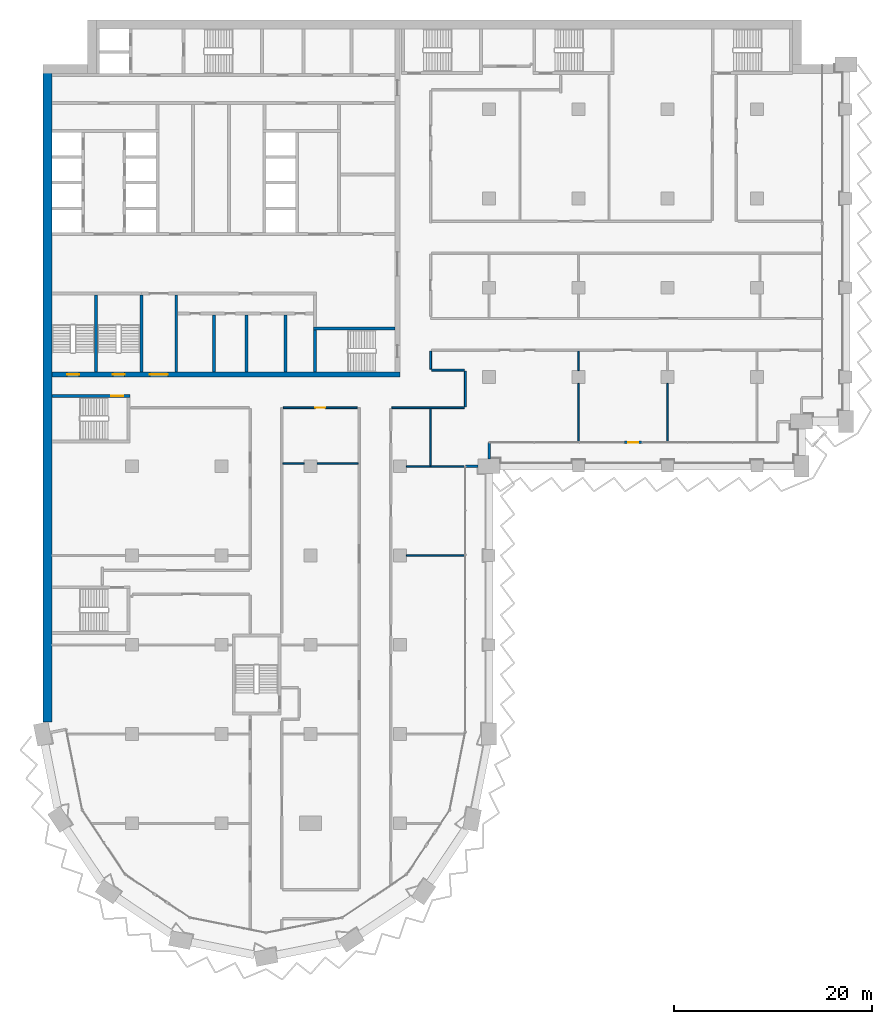
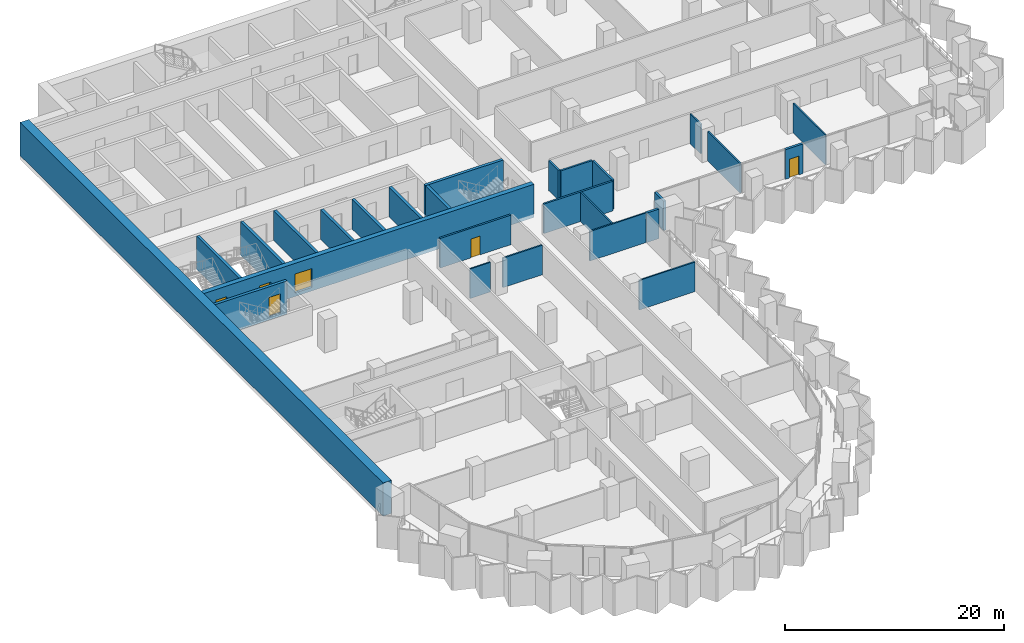
# One storey, part 11 of 23: 27 walls, 6 doors, 6 openings.
"""IFC4 building model written with IfcOpenShell, lengths in metres."""

from ifc_helpers import new_model, si_unit, direction, frame, frame_2d, origin, place, context, subcontext, project, spatial, rectangle, extrude, material, layer, layer_set, type_object, element, fill, save


model = new_model("IFC4")

# Units and contexts
model_context = context("Model", 3, precision=1e-05, world=origin(), true_north=direction((0.0, 1.0)))
body_context = subcontext(model_context, "Body", "Model", "MODEL_VIEW")
ifc_project = project(units=[si_unit("LENGTHUNIT", "METRE"), si_unit("AREAUNIT", "SQUARE_METRE"), si_unit("VOLUMEUNIT", "CUBIC_METRE"), si_unit("PLANEANGLEUNIT", "RADIAN"), si_unit("MASSUNIT", "GRAM", prefix="KILO")], contexts=[model_context])

# Site, building, storey
site_placement = place(None, origin())
site = spatial("IfcSite", under=ifc_project, at=site_placement, CompositionType="ELEMENT")
building_placement = place(site_placement, origin())
building = spatial("IfcBuilding", under=site, at=building_placement, Name="Hunhe Ridgeline Campus", CompositionType="ELEMENT")
storey_placement = place(building_placement, frame((0.0, 0.0, 103.300048828125)))
storey = spatial("IfcBuildingStorey", under=building, at=storey_placement, Name="L25", CompositionType="ELEMENT", Elevation=103.300048828125)

# Walls
ifc_material_1 = material(Name="Masonry concrete blockwork", Category="masonry")
ifc_layer_1 = layer(ifc_material_1, 0.300048828125)
ifc_layer_set_1 = layer_set([ifc_layer_1], Name="Core room partition 300 concrete block")
wall_type_1 = type_object("IfcWallType", Name="Core room partition 300 concrete block", PredefinedType="PARTITIONING", material=ifc_layer_set_1)
wall_1_placement = place(storey_placement, frame((13.449951171875, 63.5, 0.0), z_axis=(0.0, 0.0, 1.0), x_axis=(0.0, 1.0, 0.0)))
element("IfcWall", 1, at=wall_1_placement, inside=storey, type_object=wall_type_1, Name="L25 core partition 42", PredefinedType="PARTITIONING", context=body_context, shape_type="SweptSolid", body=[
    extrude(rectangle(XDim=7.75, YDim=0.300048828125, at=frame_2d((3.875, 0.0))), origin(), (0.0, 0.0, 1.0), 3.300048828125),
])
for number, where, z_axis, x_axis, name in (
    (2, (17.25, 63.5, 0.0), (0.0, 0.0, 1.0), (0.0, 1.0, 0.0), "L25 core partition 45"),
    (3, (20.550048828125, 63.5, 0.0), (0.0, 0.0, 1.0), (0.0, 1.0, 0.0), "L25 core partition 48"),
    (4, (24.449951171875, 63.5, 0.0), (0.0, 0.0, 1.0), (0.0, 1.0, 0.0), "L25 core partition 53"),
):
    element("IfcWall", number, at=place(storey_placement, frame(where, z_axis=z_axis, x_axis=x_axis)), inside=storey, type_object=wall_type_1, Name=name, PredefinedType="PARTITIONING", context=body_context, shape_type="SweptSolid", body=[
        extrude(rectangle(XDim=5.75, YDim=0.300048828125, at=frame_2d((2.875, 0.0))), origin(), (0.0, 0.0, 1.0), 3.300048828125),
    ])

# Wall, openings, doors
ifc_material_2 = material(Name="Concrete C80", Category="concrete")
ifc_layer_2 = layer(ifc_material_2, 0.5)
ifc_layer_set_2 = layer_set([ifc_layer_2], Name="Core wall 500 reinforced concrete C80")
wall_type_2 = type_object("IfcWallType", Name="Core wall 500 reinforced concrete C80", PredefinedType="SOLIDWALL", material=ifc_layer_set_2)
wall_2_placement = place(storey_placement, frame((0.89990234375, 63.25, -0.400146484375), z_axis=(0.0, 0.0, 1.0), x_axis=(1.0, 0.0, 0.0)))
wall_2 = element("IfcWall", 5, at=wall_2_placement, inside=storey, type_object=wall_type_2, Name="L25 core wall 7", PredefinedType="SOLIDWALL", context=body_context, shape_type="SweptSolid", body=[
    extrude(rectangle(XDim=35.10009765625, YDim=0.5, at=frame_2d((17.550048828125, 0.0))), origin(), (0.0, 0.0, 1.0), 3.7001953125),
])
opening_1_placement = place(wall_2_placement, frame((9.89990234375, 0.0, 0.39990234375)))
opening_1 = element("IfcOpeningElement", 6, at=opening_1_placement, cuts=wall_2, Name="Opening CD6", PredefinedType="OPENING", context=body_context, shape_type="SweptSolid", body=[
    extrude(rectangle(XDim=1.800048828125, YDim=2.10009765625, at=frame_2d((0.89990234375, 1.050048828125))), frame((0.0, 0.25, 0.0), z_axis=(0.0, -1.0, 0.0), x_axis=(1.0, 0.0, 0.0)), (0.0, 0.0, 1.0), 0.5),
])
opening_2_placement = place(wall_2_placement, frame((1.550048828125, 0.0, 0.39990234375)))
opening_2 = element("IfcOpeningElement", 7, at=opening_2_placement, cuts=wall_2, Name="Opening CD13", PredefinedType="OPENING", context=body_context, shape_type="SweptSolid", body=[
    extrude(rectangle(XDim=1.199951171875, YDim=2.10009765625, at=frame_2d((0.60009765625, 1.050048828125))), frame((0.0, 0.25, 0.0), z_axis=(0.0, -1.0, 0.0), x_axis=(1.0, 0.0, 0.0)), (0.0, 0.0, 1.0), 0.5),
])
opening_3_placement = place(wall_2_placement, frame((6.14990234375, 0.0, 0.39990234375)))
opening_3 = element("IfcOpeningElement", 8, at=opening_3_placement, cuts=wall_2, Name="Opening CD14", PredefinedType="OPENING", context=body_context, shape_type="SweptSolid", body=[
    extrude(rectangle(XDim=1.199951171875, YDim=2.10009765625, at=frame_2d((0.60009765625, 1.050048828125))), frame((0.0, 0.25, 0.0), z_axis=(0.0, -1.0, 0.0), x_axis=(1.0, 0.0, 0.0)), (0.0, 0.0, 1.0), 0.5),
])
ifc_material_3 = material(Name="Anodised aluminium and glass", Category="aluminium")
door_type_1 = type_object("IfcDoorType", Name="Glazed double door 1800x2100", OperationType="DOUBLE_DOOR_SINGLE_SWING", PredefinedType="DOOR", material=ifc_material_3)
door_1_placement = place(opening_1_placement, frame((1.800048828125, 0.0, 0.0), z_axis=(0.0, 0.0, 1.0), x_axis=(-1.0, 0.0, 0.0)))
door_1 = element("IfcDoor", 9, at=door_1_placement, inside=storey, type_object=door_type_1, Name="L25 door VEST-FLOOR", OperationType="DOUBLE_DOOR_SINGLE_SWING", OverallHeight=2.10009765625, OverallWidth=1.800048828125, PredefinedType="DOOR", context=body_context, shape_type="SweptSolid", body=[
    extrude(rectangle(XDim=1.800048828125, YDim=2.10009765625, at=frame_2d((0.89990234375, 1.050048828125))), frame((0.0, 0.02490234375, 0.0), z_axis=(0.0, -1.0, 0.0), x_axis=(1.0, 0.0, 0.0)), (0.0, 0.0, 1.0), 0.050048828125),
])
fill(opening_1, door_1)
ifc_material_4 = material(Name="Hollow metal fire door leaf")
door_type_2 = type_object("IfcDoorType", Name="Stair door 1200x2100 FD60", OperationType="SINGLE_SWING_LEFT", PredefinedType="DOOR", material=ifc_material_4)
door_2_placement = place(opening_2_placement, frame((1.199951171875, 0.0, 0.0), z_axis=(0.0, 0.0, 1.0), x_axis=(-1.0, 0.0, 0.0)))
door_2 = element("IfcDoor", 10, at=door_2_placement, inside=storey, type_object=door_type_2, Name="L25 door S3", OperationType="SINGLE_SWING_RIGHT", OverallHeight=2.10009765625, OverallWidth=1.199951171875, PredefinedType="DOOR", context=body_context, shape_type="SweptSolid", body=[
    extrude(rectangle(XDim=1.199951171875, YDim=2.10009765625, at=frame_2d((0.60009765625, 1.050048828125))), frame((0.0, 0.02490234375, 0.0), z_axis=(0.0, -1.0, 0.0), x_axis=(1.0, 0.0, 0.0)), (0.0, 0.0, 1.0), 0.050048828125),
])
fill(opening_2, door_2)
door_3_placement = place(opening_3_placement, frame((1.199951171875, 0.0, 0.0), z_axis=(0.0, 0.0, 1.0), x_axis=(-1.0, 0.0, 0.0)))
door_3 = element("IfcDoor", 11, at=door_3_placement, inside=storey, type_object=door_type_2, Name="L25 door S4", OperationType="SINGLE_SWING_LEFT", OverallHeight=2.10009765625, OverallWidth=1.199951171875, PredefinedType="DOOR", context=body_context, shape_type="SweptSolid", body=[
    extrude(rectangle(XDim=1.199951171875, YDim=2.10009765625, at=frame_2d((0.60009765625, 1.050048828125))), frame((0.0, 0.02490234375, 0.0), z_axis=(0.0, -1.0, 0.0), x_axis=(1.0, 0.0, 0.0)), (0.0, 0.0, 1.0), 0.050048828125),
])
fill(opening_3, door_3)

# Walls
ifc_material_5 = material(Name="Concrete C30", Category="concrete")
ifc_layer_3 = layer(ifc_material_5, 0.25)
ifc_layer_set_3 = layer_set([ifc_layer_3], Name="Corner return wall 250 Concrete C30")
wall_type_3 = type_object("IfcWallType", Name="Corner return wall 250 Concrete C30", PredefinedType="SOLIDWALL", material=ifc_layer_set_3)
wall_3_placement = place(storey_placement, frame((42.599365234375, 54.000732421875, 0.0), z_axis=(0.0, 0.0, 1.0), x_axis=(0.99999998238, 0.000187722918, 0.0)))
element("IfcWall", 12, at=wall_3_placement, inside=storey, type_object=wall_type_3, Name="Corner return wall 2", PredefinedType="SOLIDWALL", context=body_context, shape_type="SweptSolid", body=[
    extrude(rectangle(XDim=1.300537109375, YDim=0.25, at=frame_2d((0.650390625, 0.0))), origin(), (0.0, 0.0, 1.0), 3.300048828125),
])
wall_4_placement = place(storey_placement, frame((44.999267578125, 54.75, 0.0), z_axis=(0.0, 0.0, 1.0), x_axis=(0.000443655679, 0.999999901585, 0.0)))
element("IfcWall", 13, at=wall_4_placement, inside=storey, type_object=wall_type_3, Name="Corner return wall 3", PredefinedType="SOLIDWALL", context=body_context, shape_type="SweptSolid", body=[
    extrude(rectangle(XDim=1.65087890625, YDim=0.25, at=frame_2d((0.825439453125, 0.0))), origin(), (0.0, 0.0, 1.0), 3.300048828125),
])

# Wall, opening, door
ifc_material_6 = material(Name="Gypsum board partition")
ifc_layer_4 = layer(ifc_material_6, 0.199951171875)
ifc_layer_set_4 = layer_set([ifc_layer_4], Name="Corridor partition 200 gypsum board on steel studs")
wall_type_4 = type_object("IfcWallType", Name="Corridor partition 200 gypsum board on steel studs", PredefinedType="PARTITIONING", material=ifc_layer_set_4)
wall_5_placement = place(storey_placement, frame((31.6982421875, 59.89990234375, 0.0), z_axis=(0.0, 0.0, 1.0), x_axis=(-1.0, 0.0, 0.0)))
wall_5 = element("IfcWall", 14, at=wall_5_placement, inside=storey, type_object=wall_type_4, Name="F-L25-wall-030", PredefinedType="PARTITIONING", context=body_context, shape_type="SweptSolid", body=[
    extrude(rectangle(XDim=7.432861328125, YDim=0.199951171875, at=frame_2d((3.71630859375, 0.0))), origin(), (0.0, 0.0, 1.0), 3.300048828125),
])
opening_4_placement = place(wall_5_placement, frame((3.216552734375, 0.0, 0.0)))
opening_4 = element("IfcOpeningElement", 15, at=opening_4_placement, cuts=wall_5, Name="Opening RD1-019", PredefinedType="OPENING", context=body_context, shape_type="SweptSolid", body=[
    extrude(rectangle(XDim=1.0, YDim=2.10009765625, at=frame_2d((0.5, 1.050048828125))), frame((0.0, 0.10009765625, 0.0), z_axis=(0.0, -1.0, 0.0), x_axis=(1.0, 0.0, 0.0)), (0.0, 0.0, 1.0), 0.199951171875),
])
ifc_material_7 = material(Name="Timber door leaf", Category="wood")
door_type_3 = type_object("IfcDoorType", Name="Single fire door 1000x2100 timber FD60", OperationType="NOTDEFINED", PredefinedType="DOOR", material=ifc_material_7)
door_4_placement = place(opening_4_placement, origin())
door_4 = element("IfcDoor", 16, at=door_4_placement, inside=storey, type_object=door_type_3, Name="F-L25-door-019", OperationType="SINGLE_SWING_LEFT", OverallHeight=2.10009765625, OverallWidth=1.0, PredefinedType="DOOR", context=body_context, shape_type="SweptSolid", body=[
    extrude(rectangle(XDim=1.0, YDim=2.10009765625, at=frame_2d((0.5, 1.050048828125))), frame((0.0, 0.02490234375, 0.0), z_axis=(0.0, -1.0, 0.0), x_axis=(1.0, 0.0, 0.0)), (0.0, 0.0, 1.0), 0.050048828125),
])
fill(opening_4, door_4)

# Walls
wall_6_placement = place(storey_placement, frame((42.5, 59.89990234375, 0.0), z_axis=(0.0, 0.0, 1.0), x_axis=(-1.0, 0.0, 0.0)))
element("IfcWall", 17, at=wall_6_placement, inside=storey, type_object=wall_type_4, Name="F-L25-wall-031", PredefinedType="PARTITIONING", context=body_context, shape_type="SweptSolid", body=[
    extrude(rectangle(XDim=7.300048828125, YDim=0.199951171875, at=frame_2d((3.64990234375, 0.0))), origin(), (0.0, 0.0, 1.0), 3.300048828125),
])
wall_7_placement = place(storey_placement, frame((39.199951171875, 63.699951171875, 0.0), z_axis=(0.0, 0.0, 1.0), x_axis=(1.0, 0.0, 0.0)))
element("IfcWall", 18, at=wall_7_placement, inside=storey, type_object=wall_type_4, Name="F-L25-wall-032", PredefinedType="PARTITIONING", context=body_context, shape_type="SweptSolid", body=[
    extrude(rectangle(XDim=3.300048828125, YDim=0.199951171875, at=frame_2d((1.64990234375, 0.0))), origin(), (0.0, 0.0, 1.0), 3.300048828125),
])
wall_8_placement = place(storey_placement, frame((39.10009765625, 65.60009765625, 0.0), z_axis=(0.0, 0.0, 1.0), x_axis=(0.0, -1.0, 0.0)))
element("IfcWall", 19, at=wall_8_placement, inside=storey, type_object=wall_type_4, Name="F-L25-wall-052", PredefinedType="PARTITIONING", context=body_context, shape_type="SweptSolid", body=[
    extrude(rectangle(XDim=1.800048828125, YDim=0.199951171875, at=frame_2d((0.89990234375, 0.0))), origin(), (0.0, 0.0, 1.0), 3.300048828125),
])
wall_9_placement = place(storey_placement, frame((42.60009765625, 63.60009765625, 0.0), z_axis=(0.0, 0.0, 1.0), x_axis=(0.0, -1.0, 0.0)))
element("IfcWall", 20, at=wall_9_placement, inside=storey, type_object=wall_type_4, Name="F-L25-wall-055", PredefinedType="PARTITIONING", context=body_context, shape_type="SweptSolid", body=[
    extrude(rectangle(XDim=3.60009765625, YDim=0.199951171875, at=frame_2d((1.800048828125, 0.0))), origin(), (0.0, 0.0, 1.0), 3.300048828125),
])

# Wall, opening, door
ifc_layer_5 = layer(ifc_material_5, 0.25)
ifc_layer_set_5 = layer_set([ifc_layer_5], Name="Loggia door pier wall 250 Concrete C30")
wall_type_5 = type_object("IfcWallType", Name="Loggia door pier wall 250 Concrete C30", PredefinedType="SOLIDWALL", material=ifc_layer_set_5)
wall_10_placement = place(storey_placement, frame((58.6494140625, 56.40087890625, 0.0), z_axis=(0.0, 0.0, 1.0), x_axis=(1.0, 0.0, 0.0)))
wall_10 = element("IfcWall", 21, at=wall_10_placement, inside=storey, type_object=wall_type_5, Name="Loggia door pier 3", PredefinedType="SOLIDWALL", context=body_context, shape_type="SweptSolid", body=[
    extrude(rectangle(XDim=1.800048828125, YDim=0.25, at=frame_2d((0.89990234375, 0.0))), origin(), (0.0, 0.0, 1.0), 3.300048828125),
])
opening_5_placement = place(wall_10_placement, frame((0.39990234375, 0.0, 0.0)))
opening_5 = element("IfcOpeningElement", 22, at=opening_5_placement, cuts=wall_10, Name="Opening BD206", PredefinedType="OPENING", context=body_context, shape_type="SweptSolid", body=[
    extrude(rectangle(XDim=1.0, YDim=2.10009765625, at=frame_2d((0.5, 1.050048828125))), frame((0.0, 0.125, 0.0), z_axis=(0.0, -1.0, 0.0), x_axis=(1.0, 0.0, 0.0)), (0.0, 0.0, 1.0), 0.25),
])
ifc_material_8 = material(Name="Aluminium 6063", Category="aluminium")
door_type_4 = type_object("IfcDoorType", Name="Loggia glazed door 1000x2100", OperationType="NOTDEFINED", PredefinedType="DOOR", material=ifc_material_8)
door_5_placement = place(opening_5_placement, frame((1.0, 0.0, 0.0), z_axis=(0.0, 0.0, 1.0), x_axis=(-1.0, 0.0, 0.0)))
door_5 = element("IfcDoor", 23, at=door_5_placement, inside=storey, type_object=door_type_4, Name="Loggia door BD206", OperationType="SINGLE_SWING_LEFT", OverallHeight=2.10009765625, OverallWidth=1.0, PredefinedType="DOOR", context=body_context, shape_type="SweptSolid", body=[
    extrude(rectangle(XDim=1.0, YDim=2.10009765625, at=frame_2d((0.5, 1.050048828125))), frame((0.0, 0.02490234375, 0.0), z_axis=(0.0, -1.0, 0.0), x_axis=(1.0, 0.0, 0.0)), (0.0, 0.0, 1.0), 0.050048828125),
])
fill(opening_5, door_5)

# Walls
ifc_layer_6 = layer(ifc_material_6, 0.14990234375)
ifc_layer_set_6 = layer_set([ifc_layer_6], Name="Room partition 150 gypsum board on steel studs")
wall_type_6 = type_object("IfcWallType", Name="Room partition 150 gypsum board on steel studs", PredefinedType="PARTITIONING", material=ifc_layer_set_6)
wall_11_placement = place(storey_placement, frame((36.64990234375, 45.0, 0.0), z_axis=(0.0, 0.0, 1.0), x_axis=(1.0, 0.0, 0.0)))
element("IfcWall", 24, at=wall_11_placement, inside=storey, type_object=wall_type_6, Name="F-L25-wall-025", PredefinedType="PARTITIONING", context=body_context, shape_type="SweptSolid", body=[
    extrude(rectangle(XDim=5.895263671875, YDim=0.14990234375, at=frame_2d((2.94775390625, 0.0))), origin(), (0.0, 0.0, 1.0), 3.300048828125),
])
wall_12_placement = place(storey_placement, frame((36.64990234375, 54.0, 0.0), z_axis=(0.0, 0.0, 1.0), x_axis=(1.0, 0.0, 0.0)))
element("IfcWall", 25, at=wall_12_placement, inside=storey, type_object=wall_type_6, Name="F-L25-wall-026", PredefinedType="PARTITIONING", context=body_context, shape_type="SweptSolid", body=[
    extrude(rectangle(XDim=5.8955078125, YDim=0.14990234375, at=frame_2d((2.94775390625, 0.0))), origin(), (0.0, 0.0, 1.0), 3.300048828125),
])
wall_13_placement = place(storey_placement, frame((24.199951171875, 54.300048828125, 0.0), z_axis=(0.0, 0.0, 1.0), x_axis=(1.0, 0.0, 0.0)))
element("IfcWall", 26, at=wall_13_placement, inside=storey, type_object=wall_type_6, Name="F-L25-wall-027", PredefinedType="PARTITIONING", context=body_context, shape_type="SweptSolid", body=[
    extrude(rectangle(XDim=2.150146484375, YDim=0.14990234375, at=frame_2d((1.0751953125, 0.0))), origin(), (0.0, 0.0, 1.0), 3.300048828125),
])
wall_14_placement = place(storey_placement, frame((27.64990234375, 54.300048828125, 0.0), z_axis=(0.0, 0.0, 1.0), x_axis=(1.0, 0.0, 0.0)))
element("IfcWall", 27, at=wall_14_placement, inside=storey, type_object=wall_type_6, Name="F-L25-wall-028", PredefinedType="PARTITIONING", context=body_context, shape_type="SweptSolid", body=[
    extrude(rectangle(XDim=4.150146484375, YDim=0.14990234375, at=frame_2d((2.0751953125, 0.0))), origin(), (0.0, 0.0, 1.0), 3.300048828125),
])
wall_15_placement = place(storey_placement, frame((39.10009765625, 59.800048828125, 0.0), z_axis=(0.0, 0.0, 1.0), x_axis=(0.0, -1.0, 0.0)))
element("IfcWall", 28, at=wall_15_placement, inside=storey, type_object=wall_type_6, Name="F-L25-wall-051", PredefinedType="PARTITIONING", context=body_context, shape_type="SweptSolid", body=[
    extrude(rectangle(XDim=5.72509765625, YDim=0.14990234375, at=frame_2d((2.862548828125, 0.0))), origin(), (0.0, 0.0, 1.0), 3.300048828125),
])
wall_16_placement = place(storey_placement, frame((54.0, 62.35009765625, 0.0), z_axis=(0.0, 0.0, 1.0), x_axis=(0.0, -1.0, 0.0)))
element("IfcWall", 29, at=wall_16_placement, inside=storey, type_object=wall_type_6, Name="F-L25-wall-061", PredefinedType="PARTITIONING", context=body_context, shape_type="SweptSolid", body=[
    extrude(rectangle(XDim=5.89501953125, YDim=0.14990234375, at=frame_2d((2.947509765625, 0.0))), origin(), (0.0, 0.0, 1.0), 3.300048828125),
])
wall_17_placement = place(storey_placement, frame((54.0, 65.60009765625, 0.0), z_axis=(0.0, 0.0, 1.0), x_axis=(0.0, -1.0, 0.0)))
element("IfcWall", 30, at=wall_17_placement, inside=storey, type_object=wall_type_6, Name="F-L25-wall-062", PredefinedType="PARTITIONING", context=body_context, shape_type="SweptSolid", body=[
    extrude(rectangle(XDim=1.9501953125, YDim=0.14990234375, at=frame_2d((0.97509765625, 0.0))), origin(), (0.0, 0.0, 1.0), 3.300048828125),
])
wall_18_placement = place(storey_placement, frame((63.0, 62.35009765625, 0.0), z_axis=(0.0, 0.0, 1.0), x_axis=(0.0, -1.0, 0.0)))
element("IfcWall", 31, at=wall_18_placement, inside=storey, type_object=wall_type_6, Name="F-L25-wall-066", PredefinedType="PARTITIONING", context=body_context, shape_type="SweptSolid", body=[
    extrude(rectangle(XDim=5.89501953125, YDim=0.14990234375, at=frame_2d((2.947509765625, 0.0))), origin(), (0.0, 0.0, 1.0), 3.300048828125),
])
ifc_material_9 = material(Name="Concrete C70", Category="concrete")
ifc_layer_7 = layer(ifc_material_9, 0.89990234375)
ifc_layer_set_7 = layer_set([ifc_layer_7], Name="Spine wall 900 Concrete C70")
wall_type_7 = type_object("IfcWallType", Name="Spine wall 900 Concrete C70", PredefinedType="SHEAR", material=ifc_layer_set_7)
wall_19_placement = place(storey_placement, frame((0.449951171875, 94.5, 0.0), z_axis=(0.0, 0.0, 1.0), x_axis=(0.0, -1.0, 0.0)))
element("IfcWall", 32, at=wall_19_placement, inside=storey, type_object=wall_type_7, Name="Spine wall SW2-1 L25", PredefinedType="SHEAR", context=body_context, shape_type="SweptSolid", body=[
    extrude(rectangle(XDim=66.288818359375, YDim=0.89990234375, at=frame_2d((33.14453125, 0.0))), origin(), (0.0, 0.0, 1.0), 3.699951171875),
])

# Wall, opening, door
ifc_layer_8 = layer(ifc_material_2, 0.300048828125)
ifc_layer_set_8 = layer_set([ifc_layer_8], Name="Stair wall 300 reinforced concrete C80")
wall_type_8 = type_object("IfcWallType", Name="Stair wall 300 reinforced concrete C80", PredefinedType="SOLIDWALL", material=ifc_layer_set_8)
wall_20_placement = place(storey_placement, frame((0.89990234375, 61.10009765625, -0.400146484375), z_axis=(0.0, 0.0, 1.0), x_axis=(1.0, 0.0, 0.0)))
wall_20 = element("IfcWall", 33, at=wall_20_placement, inside=storey, type_object=wall_type_8, Name="L25 core wall 6", PredefinedType="SOLIDWALL", context=body_context, shape_type="SweptSolid", body=[
    extrude(rectangle(XDim=7.900146484375, YDim=0.300048828125, at=frame_2d((3.9501953125, 0.0))), origin(), (0.0, 0.0, 1.0), 3.7001953125),
])
opening_6_placement = place(wall_20_placement, frame((6.0, 0.0, 0.39990234375)))
opening_6 = element("IfcOpeningElement", 34, at=opening_6_placement, cuts=wall_20, Name="Opening CD22", PredefinedType="OPENING", context=body_context, shape_type="SweptSolid", body=[
    extrude(rectangle(XDim=1.199951171875, YDim=2.10009765625, at=frame_2d((0.60009765625, 1.050048828125))), frame((0.0, 0.14990234375, 0.0), z_axis=(0.0, -1.0, 0.0), x_axis=(1.0, 0.0, 0.0)), (0.0, 0.0, 1.0), 0.300048828125),
])
door_6_placement = place(opening_6_placement, origin())
door_6 = element("IfcDoor", 35, at=door_6_placement, inside=storey, type_object=door_type_2, Name="L25 door W2", OperationType="SINGLE_SWING_LEFT", OverallHeight=2.10009765625, OverallWidth=1.199951171875, PredefinedType="DOOR", context=body_context, shape_type="SweptSolid", body=[
    extrude(rectangle(XDim=1.199951171875, YDim=2.10009765625, at=frame_2d((0.60009765625, 1.050048828125))), frame((0.0, 0.02490234375, 0.0), z_axis=(0.0, -1.0, 0.0), x_axis=(1.0, 0.0, 0.0)), (0.0, 0.0, 1.0), 0.050048828125),
])
fill(opening_6, door_6)

# Walls
wall_21_placement = place(storey_placement, frame((27.300048828125, 67.89990234375, -0.400146484375), z_axis=(0.0, 0.0, 1.0), x_axis=(1.0, 0.0, 0.0)))
element("IfcWall", 36, at=wall_21_placement, inside=storey, type_object=wall_type_8, Name="L25 core wall 8", PredefinedType="SOLIDWALL", context=body_context, shape_type="SweptSolid", body=[
    extrude(rectangle(XDim=8.199951171875, YDim=0.300048828125, at=frame_2d((4.10009765625, 0.0))), origin(), (0.0, 0.0, 1.0), 3.7001953125),
])
for number, where, z_axis, x_axis, name in (
    (37, (5.35009765625, 63.5, -0.400146484375), (0.0, 0.0, 1.0), (0.0, 1.0, 0.0), "L25 core wall 33"),
    (38, (9.949951171875, 63.5, -0.400146484375), (0.0, 0.0, 1.0), (0.0, 1.0, 0.0), "L25 core wall 39"),
):
    element("IfcWall", number, at=place(storey_placement, frame(where, z_axis=z_axis, x_axis=x_axis)), inside=storey, type_object=wall_type_8, Name=name, PredefinedType="SOLIDWALL", context=body_context, shape_type="SweptSolid", body=[
        extrude(rectangle(XDim=7.75, YDim=0.300048828125, at=frame_2d((3.875, 0.0))), origin(), (0.0, 0.0, 1.0), 3.7001953125),
    ])
wall_22_placement = place(storey_placement, frame((27.449951171875, 63.5, -0.400146484375), z_axis=(0.0, 0.0, 1.0), x_axis=(0.0, 1.0, 0.0)))
element("IfcWall", 39, at=wall_22_placement, inside=storey, type_object=wall_type_8, Name="L25 core wall 56", PredefinedType="SOLIDWALL", context=body_context, shape_type="SweptSolid", body=[
    extrude(rectangle(XDim=4.25, YDim=0.300048828125, at=frame_2d((2.125, 0.0))), origin(), (0.0, 0.0, 1.0), 3.7001953125),
])

save(model, "model.ifc")
